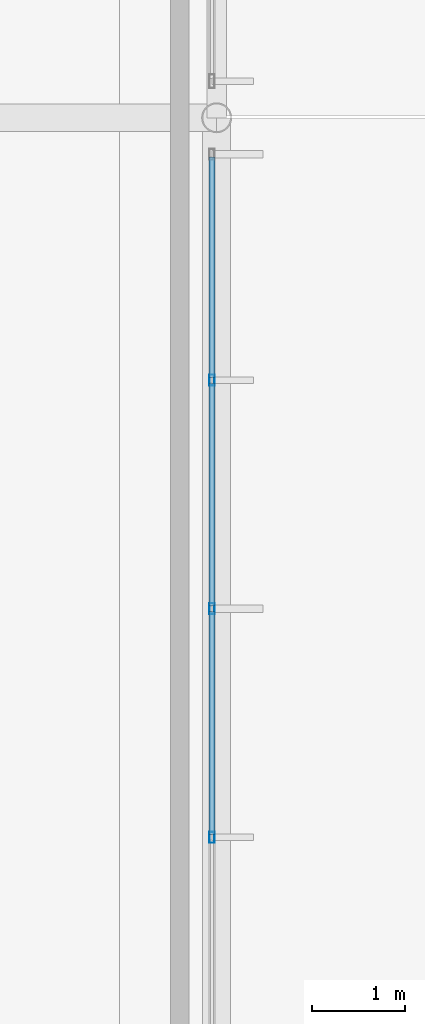
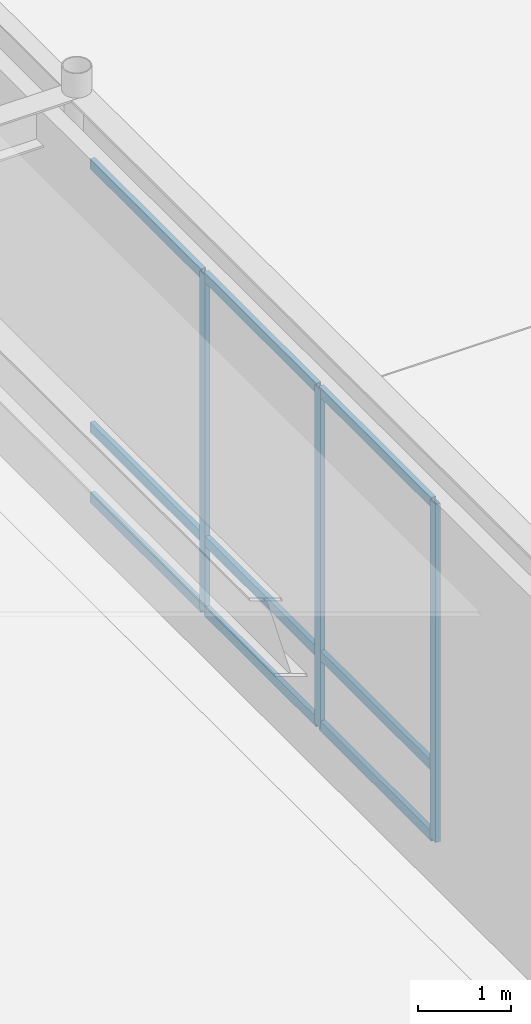
# One storey, part 75 of 143: 12 members, 1 element without a shape of its own.
"""IFC4 building model written with IfcOpenShell, lengths in metres."""

from ifc_helpers import new_model, si_unit, direction, frame, origin, origin_2d, place, context, subcontext, project, spatial, hollow_rectangle, extrude, material, layer, layer_set, material_profile, profile_set, type_object, element, aggregate, save


model = new_model("IFC4")

# Units and contexts
model_context = context("Model", 3, precision=1e-05, world=origin(), true_north=direction((0.0, 1.0)))
body_context = subcontext(model_context, "Body", "Model", "MODEL_VIEW")
ifc_project = project(units=[si_unit("LENGTHUNIT", "METRE"), si_unit("AREAUNIT", "SQUARE_METRE"), si_unit("VOLUMEUNIT", "CUBIC_METRE"), si_unit("PLANEANGLEUNIT", "RADIAN"), si_unit("MASSUNIT", "GRAM", prefix="KILO")], contexts=[model_context])

# Site, building, storey
site_placement = place(None, origin())
site = spatial("IfcSite", under=ifc_project, at=site_placement, CompositionType="ELEMENT")
building_placement = place(site_placement, origin())
building = spatial("IfcBuilding", under=site, at=building_placement, Name="Montelvaro Courts of Justice", CompositionType="ELEMENT")
storey_placement = place(building_placement, origin())
storey = spatial("IfcBuildingStorey", under=building, at=storey_placement, Name="L00", CompositionType="ELEMENT", Elevation=0.0)

# Curtain wall, members
ifc_material = material(Name="Anodised aluminium EN AW-6063", Category="aluminium")
ifc_layer = layer(ifc_material, 0.159912109375)
ifc_layer_set = layer_set([ifc_layer], Name="Anodised aluminium EN AW-6063")
curtain_wall_type = type_object("IfcCurtainWallType", Name="CurtainWall_02_1727x508", PredefinedType="USERDEFINED", material=ifc_layer_set)
curtain_wall_placement = place(storey_placement, origin())
curtain_wall = element("IfcCurtainWall", 1, at=curtain_wall_placement, inside=storey, type_object=curtain_wall_type, Name="Curtain Wall CW-02 (L00)", ObjectType="CURTAIN WALL", PredefinedType="USERDEFINED")
ifc_material_profile_1 = material_profile(ifc_material, hollow_rectangle(XDim=0.06005859375, YDim=0.1201171875, WallThickness=0.00341796875, at=origin_2d()), Name="ALU-M 60x120")
ifc_profile_set_1 = profile_set([ifc_material_profile_1], Name="Anodised aluminium EN AW-6063")
member_type_1 = type_object("IfcMemberType", Name="CurtainWall_Mullion_60x120", PredefinedType="MULLION", material=ifc_profile_set_1)
member_1_placement = place(storey_placement, frame((80.949951171875, 88.233642578125, 0.0), z_axis=(0.0, 0.0, 1.0), x_axis=(-1.0, 0.0, 0.0)))
member_1 = element("IfcMember", 2, at=member_1_placement, type_object=member_type_1, Name="CW-02 mullion 5", PredefinedType="MULLION", context=body_context, shape_type="SweptSolid", body=[
    extrude(hollow_rectangle(XDim=0.06005859375, YDim=0.1201171875, WallThickness=0.00341796875, at=origin_2d()), origin(), (0.0, 0.0, 1.0), 4.425048828125),
])
member_2_placement = place(storey_placement, frame((80.949951171875, 90.70068359375, 0.0), z_axis=(0.0, 0.0, 1.0), x_axis=(-1.0, 0.0, 0.0)))
member_2 = element("IfcMember", 3, at=member_2_placement, type_object=member_type_1, Name="CW-02 mullion 6", PredefinedType="MULLION", context=body_context, shape_type="SweptSolid", body=[
    extrude(hollow_rectangle(XDim=0.06005859375, YDim=0.1201171875, WallThickness=0.00341796875, at=origin_2d()), origin(), (0.0, 0.0, 1.0), 4.425048828125),
])
member_3_placement = place(storey_placement, frame((80.949951171875, 93.16796875, 0.0), z_axis=(0.0, 0.0, 1.0), x_axis=(-1.0, 0.0, 0.0)))
member_3 = element("IfcMember", 4, at=member_3_placement, type_object=member_type_1, Name="CW-02 mullion 7", PredefinedType="MULLION", context=body_context, shape_type="SweptSolid", body=[
    extrude(hollow_rectangle(XDim=0.06005859375, YDim=0.1201171875, WallThickness=0.00341796875, at=origin_2d()), origin(), (0.0, 0.0, 1.0), 4.425048828125),
])
ifc_material_profile_2 = material_profile(ifc_material, hollow_rectangle(XDim=0.06005859375, YDim=0.1298828125, WallThickness=0.00390625, at=origin_2d()), Name="ALU-T 60x130")
ifc_profile_set_2 = profile_set([ifc_material_profile_2], Name="Anodised aluminium EN AW-6063")
member_type_2 = type_object("IfcMemberType", Name="CurtainWall_Transom_60x130", PredefinedType="USERDEFINED", material=ifc_profile_set_2)
member_4_placement = place(storey_placement, frame((80.949951171875, 88.263671875, 0.030029296875), z_axis=(0.0, 1.0, 0.0), x_axis=(-1.0, 0.0, 0.0)))
member_4 = element("IfcMember", 5, at=member_4_placement, type_object=member_type_2, Name="CW-02 transom 5.1", ObjectType="TRANSOM", PredefinedType="USERDEFINED", context=body_context, shape_type="SweptSolid", body=[
    extrude(hollow_rectangle(XDim=0.06005859375, YDim=0.1298828125, WallThickness=0.00390625, at=origin_2d()), origin(), (0.0, 0.0, 1.0), 2.406982421875),
])
member_5_placement = place(storey_placement, frame((80.949951171875, 88.263671875, 0.949951171875), z_axis=(0.0, 1.0, 0.0), x_axis=(-1.0, 0.0, 0.0)))
member_5 = element("IfcMember", 6, at=member_5_placement, type_object=member_type_2, Name="CW-02 transom 5.2", ObjectType="TRANSOM", PredefinedType="USERDEFINED", context=body_context, shape_type="SweptSolid", body=[
    extrude(hollow_rectangle(XDim=0.06005859375, YDim=0.1298828125, WallThickness=0.00390625, at=origin_2d()), origin(), (0.0, 0.0, 1.0), 2.406982421875),
])
member_6_placement = place(storey_placement, frame((80.949951171875, 88.263671875, 4.39501953125), z_axis=(0.0, 1.0, 0.0), x_axis=(-1.0, 0.0, 0.0)))
member_6 = element("IfcMember", 7, at=member_6_placement, type_object=member_type_2, Name="CW-02 transom 5.3", ObjectType="TRANSOM", PredefinedType="USERDEFINED", context=body_context, shape_type="SweptSolid", body=[
    extrude(hollow_rectangle(XDim=0.06005859375, YDim=0.1298828125, WallThickness=0.00390625, at=origin_2d()), origin(), (0.0, 0.0, 1.0), 2.406982421875),
])
member_7_placement = place(storey_placement, frame((80.949951171875, 90.730712890625, 0.030029296875), z_axis=(0.0, 1.0, 0.0), x_axis=(-1.0, 0.0, 0.0)))
member_7 = element("IfcMember", 8, at=member_7_placement, type_object=member_type_2, Name="CW-02 transom 6.1", ObjectType="TRANSOM", PredefinedType="USERDEFINED", context=body_context, shape_type="SweptSolid", body=[
    extrude(hollow_rectangle(XDim=0.06005859375, YDim=0.1298828125, WallThickness=0.00390625, at=origin_2d()), origin(), (0.0, 0.0, 1.0), 2.4072265625),
])
member_8_placement = place(storey_placement, frame((80.949951171875, 90.730712890625, 0.949951171875), z_axis=(0.0, 1.0, 0.0), x_axis=(-1.0, 0.0, 0.0)))
member_8 = element("IfcMember", 9, at=member_8_placement, type_object=member_type_2, Name="CW-02 transom 6.2", ObjectType="TRANSOM", PredefinedType="USERDEFINED", context=body_context, shape_type="SweptSolid", body=[
    extrude(hollow_rectangle(XDim=0.06005859375, YDim=0.1298828125, WallThickness=0.00390625, at=origin_2d()), origin(), (0.0, 0.0, 1.0), 2.4072265625),
])
member_9_placement = place(storey_placement, frame((80.949951171875, 90.730712890625, 4.39501953125), z_axis=(0.0, 1.0, 0.0), x_axis=(-1.0, 0.0, 0.0)))
member_9 = element("IfcMember", 10, at=member_9_placement, type_object=member_type_2, Name="CW-02 transom 6.3", ObjectType="TRANSOM", PredefinedType="USERDEFINED", context=body_context, shape_type="SweptSolid", body=[
    extrude(hollow_rectangle(XDim=0.06005859375, YDim=0.1298828125, WallThickness=0.00390625, at=origin_2d()), origin(), (0.0, 0.0, 1.0), 2.4072265625),
])
member_10_placement = place(storey_placement, frame((80.949951171875, 93.19775390625, 0.030029296875), z_axis=(0.0, 1.0, 0.0), x_axis=(-1.0, 0.0, 0.0)))
member_10 = element("IfcMember", 11, at=member_10_placement, type_object=member_type_2, Name="CW-02 transom 7.1", ObjectType="TRANSOM", PredefinedType="USERDEFINED", context=body_context, shape_type="SweptSolid", body=[
    extrude(hollow_rectangle(XDim=0.06005859375, YDim=0.1298828125, WallThickness=0.00390625, at=origin_2d()), origin(), (0.0, 0.0, 1.0), 2.377197265625),
])
member_11_placement = place(storey_placement, frame((80.949951171875, 93.19775390625, 0.949951171875), z_axis=(0.0, 1.0, 0.0), x_axis=(-1.0, 0.0, 0.0)))
member_11 = element("IfcMember", 12, at=member_11_placement, type_object=member_type_2, Name="CW-02 transom 7.2", ObjectType="TRANSOM", PredefinedType="USERDEFINED", context=body_context, shape_type="SweptSolid", body=[
    extrude(hollow_rectangle(XDim=0.06005859375, YDim=0.1298828125, WallThickness=0.00390625, at=origin_2d()), origin(), (0.0, 0.0, 1.0), 2.377197265625),
])
member_12_placement = place(storey_placement, frame((80.949951171875, 93.19775390625, 4.39501953125), z_axis=(0.0, 1.0, 0.0), x_axis=(-1.0, 0.0, 0.0)))
member_12 = element("IfcMember", 13, at=member_12_placement, type_object=member_type_2, Name="CW-02 transom 7.3", ObjectType="TRANSOM", PredefinedType="USERDEFINED", context=body_context, shape_type="SweptSolid", body=[
    extrude(hollow_rectangle(XDim=0.06005859375, YDim=0.1298828125, WallThickness=0.00390625, at=origin_2d()), origin(), (0.0, 0.0, 1.0), 2.377197265625),
])
aggregate(curtain_wall, [member_1, member_2, member_3, member_4, member_5, member_6, member_7, member_8, member_9, member_10, member_11, member_12])

save(model, "model.ifc")
